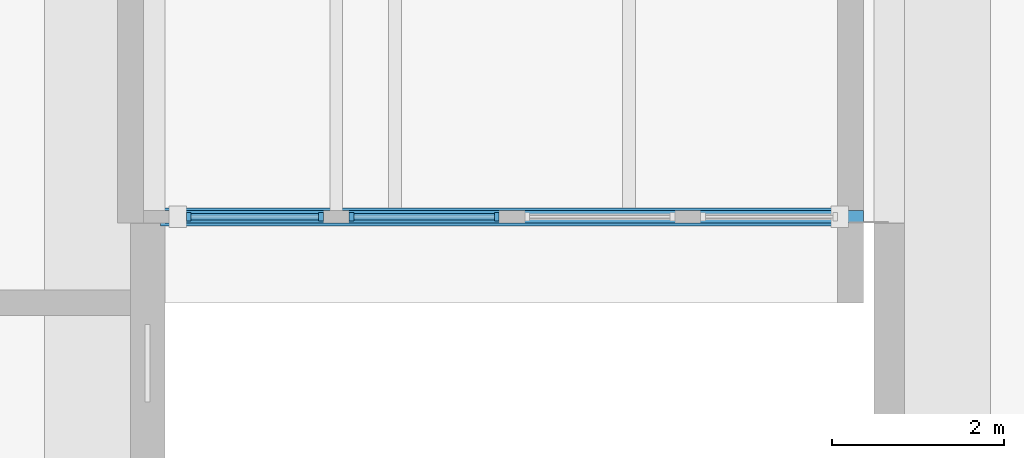
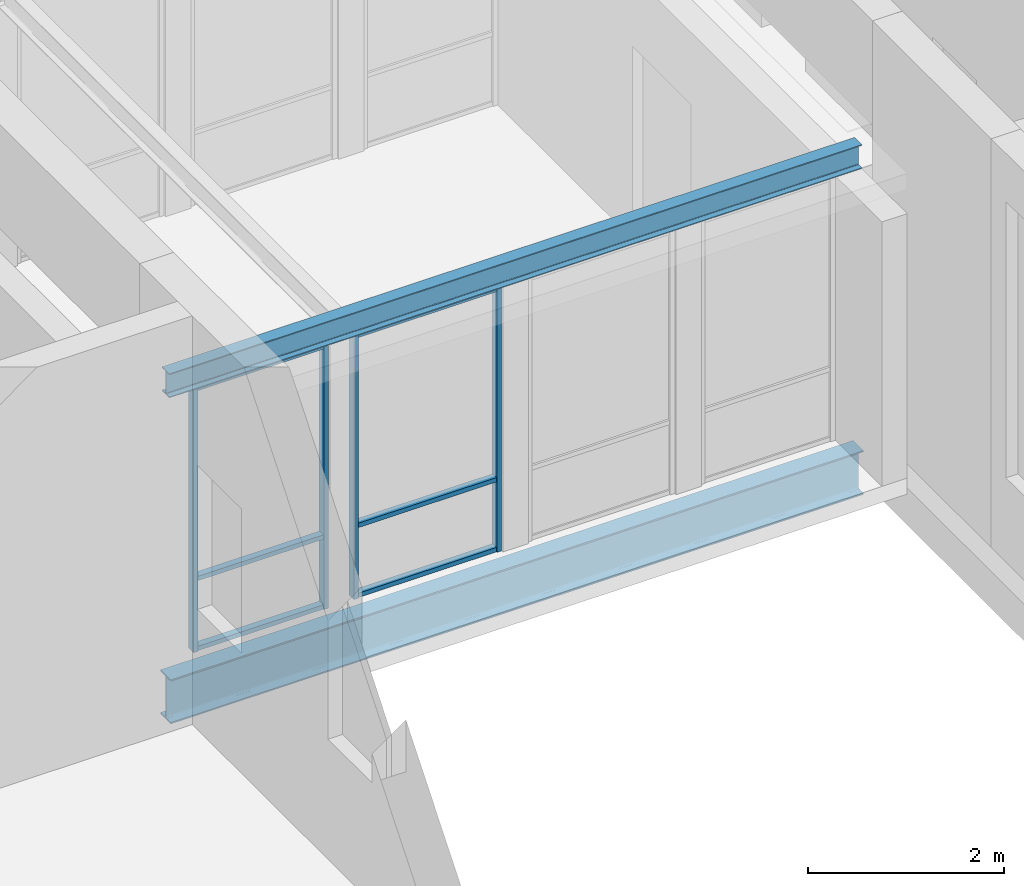
# One storey, part 10 of 52: 10 members, 2 beams, 2 elements without a shape of their own.
"""IFC4 building model written with IfcOpenShell, lengths in metres."""

from ifc_helpers import new_model, si_unit, direction, frame, origin, origin_2d, place, context, subcontext, project, spatial, rectangle, i_section, extrude, material, layer, layer_set, material_profile, profile_set, type_object, element, aggregate, save


model = new_model("IFC4")

# Units and contexts
model_context = context("Model", 3, precision=1e-05, world=origin(), true_north=direction((0.0, 1.0)))
body_context = subcontext(model_context, "Body", "Model", "MODEL_VIEW")
ifc_project = project(units=[si_unit("LENGTHUNIT", "METRE"), si_unit("AREAUNIT", "SQUARE_METRE"), si_unit("VOLUMEUNIT", "CUBIC_METRE"), si_unit("PLANEANGLEUNIT", "RADIAN"), si_unit("MASSUNIT", "GRAM", prefix="KILO")], contexts=[model_context])

# Site, building, storey
site_placement = place(None, origin())
site = spatial("IfcSite", under=ifc_project, at=site_placement, CompositionType="ELEMENT")
building_placement = place(site_placement, origin())
building = spatial("IfcBuilding", under=site, at=building_placement, Name="Aurelan Courthouse", CompositionType="ELEMENT")
storey_placement = place(building_placement, frame((0.0, 0.0, 6.60009765625)))
storey = spatial("IfcBuildingStorey", under=building, at=storey_placement, Name="L01", CompositionType="ELEMENT", Elevation=6.60009765625)

# Beams
ifc_material_1 = material(Name="Steel S355", Category="steel")
ifc_material_profile_1 = material_profile(ifc_material_1, i_section(OverallWidth=0.2099609375, OverallDepth=0.550048828125, WebThickness=0.010986328125, FlangeThickness=0.01708984375, FilletRadius=0.02392578125, at=origin_2d()), Name="IPE 550")
ifc_profile_set_1 = profile_set([ifc_material_profile_1], Name="Steel S355")
beam_type_1 = type_object("IfcBeamType", Name="Bridge girder IPE 550", PredefinedType="BEAM", material=ifc_profile_set_1)
beam_1_placement = place(storey_placement, frame((27.35009765625, 46.0, -0.47509765625), z_axis=(1.0, 0.0, 0.0), x_axis=(0.0, 1.0, 0.0)))
element("IfcBeam", 1, at=beam_1_placement, inside=storey, type_object=beam_type_1, Name="Bridge girder BG-7", PredefinedType="BEAM", context=body_context, shape_type="SweptSolid", body=[
    extrude(i_section(OverallWidth=0.2099609375, OverallDepth=0.550048828125, WebThickness=0.010986328125, FlangeThickness=0.01708984375, FilletRadius=0.02392578125, at=origin_2d()), origin(), (0.0, 0.0, 1.0), 8.1748046875),
])
ifc_material_profile_2 = material_profile(ifc_material_1, i_section(OverallWidth=0.14990234375, OverallDepth=0.300048828125, WebThickness=0.007080078125, FlangeThickness=0.0107421875, FilletRadius=0.014892578125, at=origin_2d()), Name="IPE 300")
ifc_profile_set_2 = profile_set([ifc_material_profile_2], Name="Steel S355")
beam_type_2 = type_object("IfcBeamType", Name="Passage edge beam IPE 300", PredefinedType="BEAM", material=ifc_profile_set_2)
beam_2_placement = place(storey_placement, frame((27.35009765625, 46.0, 3.449951171875), z_axis=(1.0, 0.0, 0.0), x_axis=(0.0, 1.0, 0.0)))
element("IfcBeam", 2, at=beam_2_placement, inside=storey, type_object=beam_type_2, Name="Passage edge beam BR4-BA", PredefinedType="BEAM", context=body_context, shape_type="SweptSolid", body=[
    extrude(i_section(OverallWidth=0.14990234375, OverallDepth=0.300048828125, WebThickness=0.007080078125, FlangeThickness=0.0107421875, FilletRadius=0.014892578125, at=origin_2d()), origin(), (0.0, 0.0, 1.0), 8.1748046875),
])

# Curtain wall, members
ifc_material_2 = material(Name="Bronze-finished aluminium and glass", Category="aluminium")
ifc_layer_1 = layer(ifc_material_2, 0.1201171875)
ifc_layer_set_1 = layer_set([ifc_layer_1], Name="Bronze-finished aluminium and glass")
curtain_wall_type_1 = type_object("IfcCurtainWallType", Name="Passage glazing 1594 x 3300", PredefinedType="NOTDEFINED", material=ifc_layer_set_1)
curtain_wall_1_placement = place(storey_placement, origin())
curtain_wall_1 = element("IfcCurtainWall", 3, at=curtain_wall_1_placement, inside=storey, type_object=curtain_wall_type_1, Name="Curtain wall CW-L01-BR401", PredefinedType="NOTDEFINED")
ifc_material_3 = material(Name="Bronze-finished aluminium", Category="aluminium")
ifc_material_profile_3 = material_profile(ifc_material_3, rectangle(XDim=0.10009765625, YDim=0.054931640625, at=origin_2d()), Name="Passage glazing mullion 55 x 100")
ifc_profile_set_3 = profile_set([ifc_material_profile_3], Name="Bronze-finished aluminium")
member_type_1 = type_object("IfcMemberType", Name="Passage glazing mullion 55 x 100", PredefinedType="MULLION", material=ifc_profile_set_3)
member_1_placement = place(storey_placement, frame((27.677490234375, 46.0, 0.0), z_axis=(0.0, 0.0, 1.0), x_axis=(0.0, 1.0, 0.0)))
member_1 = element("IfcMember", 4, at=member_1_placement, type_object=member_type_1, Name="CW-L01-BR401 mullion 1", PredefinedType="MULLION", context=body_context, shape_type="SweptSolid", body=[
    extrude(rectangle(XDim=0.10009765625, YDim=0.054931640625, at=origin_2d()), origin(), (0.0, 0.0, 1.0), 3.2998046875),
])
member_2_placement = place(storey_placement, frame((29.21630859375, 46.0, 0.0), z_axis=(0.0, 0.0, 1.0), x_axis=(0.0, 1.0, 0.0)))
member_2 = element("IfcMember", 5, at=member_2_placement, type_object=member_type_1, Name="CW-L01-BR401 mullion 2", PredefinedType="MULLION", context=body_context, shape_type="SweptSolid", body=[
    extrude(rectangle(XDim=0.10009765625, YDim=0.054931640625, at=origin_2d()), origin(), (0.0, 0.0, 1.0), 3.2998046875),
])

ifc_layer_2 = layer(ifc_material_2, 0.1201171875)
ifc_layer_set_2 = layer_set([ifc_layer_2], Name="Bronze-finished aluminium and glass")
curtain_wall_type_2 = type_object("IfcCurtainWallType", Name="Passage glazing 1744 x 3300", PredefinedType="NOTDEFINED", material=ifc_layer_set_2)
curtain_wall_2_placement = place(storey_placement, origin())
curtain_wall_2 = element("IfcCurtainWall", 6, at=curtain_wall_2_placement, inside=storey, type_object=curtain_wall_type_2, Name="Curtain wall CW-L01-BR402", PredefinedType="NOTDEFINED")
member_3_placement = place(storey_placement, frame((29.5712890625, 46.0, 0.0), z_axis=(0.0, 0.0, 1.0), x_axis=(0.0, 1.0, 0.0)))
member_3 = element("IfcMember", 7, at=member_3_placement, type_object=member_type_1, Name="CW-L01-BR402 mullion 1", PredefinedType="MULLION", context=body_context, shape_type="SweptSolid", body=[
    extrude(rectangle(XDim=0.10009765625, YDim=0.054931640625, at=origin_2d()), origin(), (0.0, 0.0, 1.0), 3.2998046875),
])
member_4_placement = place(storey_placement, frame((31.260009765625, 46.0, 0.0), z_axis=(0.0, 0.0, 1.0), x_axis=(0.0, 1.0, 0.0)))
member_4 = element("IfcMember", 8, at=member_4_placement, type_object=member_type_1, Name="CW-L01-BR402 mullion 2", PredefinedType="MULLION", context=body_context, shape_type="SweptSolid", body=[
    extrude(rectangle(XDim=0.10009765625, YDim=0.054931640625, at=origin_2d()), origin(), (0.0, 0.0, 1.0), 3.2998046875),
])

# Member
ifc_material_profile_4 = material_profile(ifc_material_3, rectangle(XDim=0.080078125, YDim=0.054931640625, at=origin_2d()), Name="Passage glazing transom 55 x 80")
ifc_profile_set_4 = profile_set([ifc_material_profile_4], Name="Bronze-finished aluminium")
member_type_2 = type_object("IfcMemberType", Name="Passage glazing transom 55 x 80", PredefinedType="USERDEFINED", material=ifc_profile_set_4)
member_5_placement = place(storey_placement, frame((27.705078125, 46.0, 0.02734375), z_axis=(1.0, 0.0, 0.0), x_axis=(0.0, 1.0, 0.0)))
member_5 = element("IfcMember", 9, at=member_5_placement, type_object=member_type_2, Name="CW-L01-BR401 transom 1.1", ObjectType="TRANSOM", PredefinedType="USERDEFINED", context=body_context, shape_type="SweptSolid", body=[
    extrude(rectangle(XDim=0.080078125, YDim=0.054931640625, at=origin_2d()), origin(), (0.0, 0.0, 1.0), 1.483642578125),
])

member_6_placement = place(storey_placement, frame((27.705078125, 46.0, 0.89990234375), z_axis=(1.0, 0.0, 0.0), x_axis=(0.0, 1.0, 0.0)))
member_6 = element("IfcMember", 10, at=member_6_placement, type_object=member_type_2, Name="CW-L01-BR401 transom 1.2", ObjectType="TRANSOM", PredefinedType="USERDEFINED", context=body_context, shape_type="SweptSolid", body=[
    extrude(rectangle(XDim=0.080078125, YDim=0.054931640625, at=origin_2d()), origin(), (0.0, 0.0, 1.0), 1.483642578125),
])

member_7_placement = place(storey_placement, frame((27.705078125, 46.0, 3.2724609375), z_axis=(1.0, 0.0, 0.0), x_axis=(0.0, 1.0, 0.0)))
member_7 = element("IfcMember", 11, at=member_7_placement, type_object=member_type_2, Name="CW-L01-BR401 transom 1.3", ObjectType="TRANSOM", PredefinedType="USERDEFINED", context=body_context, shape_type="SweptSolid", body=[
    extrude(rectangle(XDim=0.080078125, YDim=0.054931640625, at=origin_2d()), origin(), (0.0, 0.0, 1.0), 1.483642578125),
])

aggregate(curtain_wall_1, [member_1, member_2, member_5, member_6, member_7])

member_8_placement = place(storey_placement, frame((29.5986328125, 46.0, 0.02734375), z_axis=(1.0, 0.0, 0.0), x_axis=(0.0, 1.0, 0.0)))
member_8 = element("IfcMember", 12, at=member_8_placement, type_object=member_type_2, Name="CW-L01-BR402 transom 1.1", ObjectType="TRANSOM", PredefinedType="USERDEFINED", context=body_context, shape_type="SweptSolid", body=[
    extrude(rectangle(XDim=0.080078125, YDim=0.054931640625, at=origin_2d()), origin(), (0.0, 0.0, 1.0), 1.6337890625),
])

member_9_placement = place(storey_placement, frame((29.5986328125, 46.0, 0.89990234375), z_axis=(1.0, 0.0, 0.0), x_axis=(0.0, 1.0, 0.0)))
member_9 = element("IfcMember", 13, at=member_9_placement, type_object=member_type_2, Name="CW-L01-BR402 transom 1.2", ObjectType="TRANSOM", PredefinedType="USERDEFINED", context=body_context, shape_type="SweptSolid", body=[
    extrude(rectangle(XDim=0.080078125, YDim=0.054931640625, at=origin_2d()), origin(), (0.0, 0.0, 1.0), 1.6337890625),
])

member_10_placement = place(storey_placement, frame((29.5986328125, 46.0, 3.2724609375), z_axis=(1.0, 0.0, 0.0), x_axis=(0.0, 1.0, 0.0)))
member_10 = element("IfcMember", 14, at=member_10_placement, type_object=member_type_2, Name="CW-L01-BR402 transom 1.3", ObjectType="TRANSOM", PredefinedType="USERDEFINED", context=body_context, shape_type="SweptSolid", body=[
    extrude(rectangle(XDim=0.080078125, YDim=0.054931640625, at=origin_2d()), origin(), (0.0, 0.0, 1.0), 1.6337890625),
])

aggregate(curtain_wall_2, [member_3, member_4, member_8, member_9, member_10])

save(model, "model.ifc")
